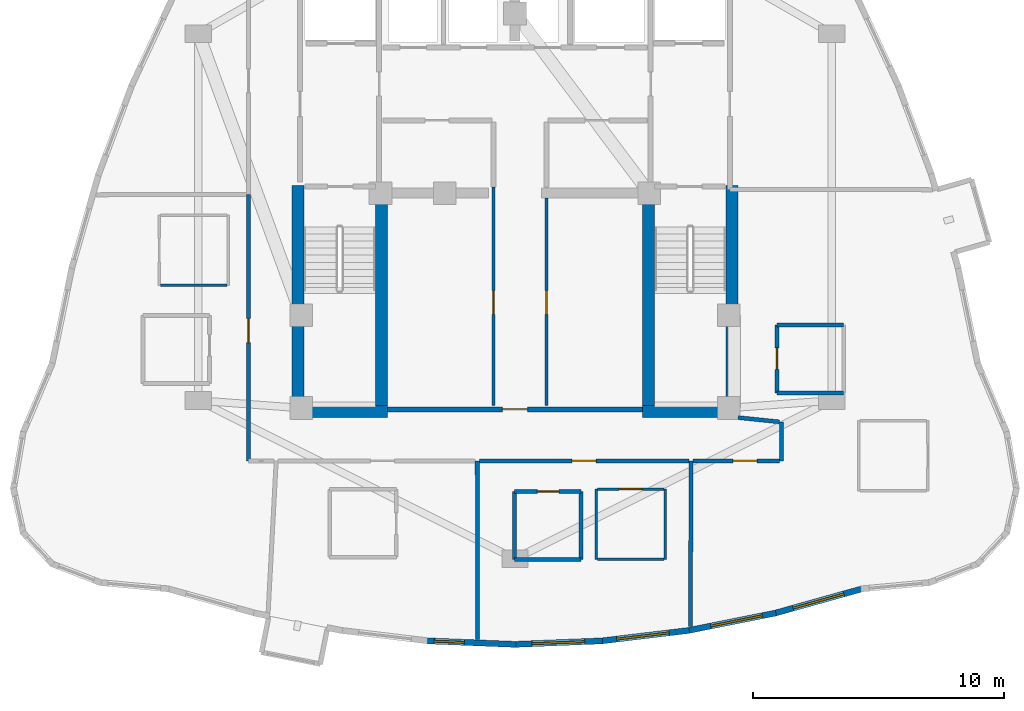
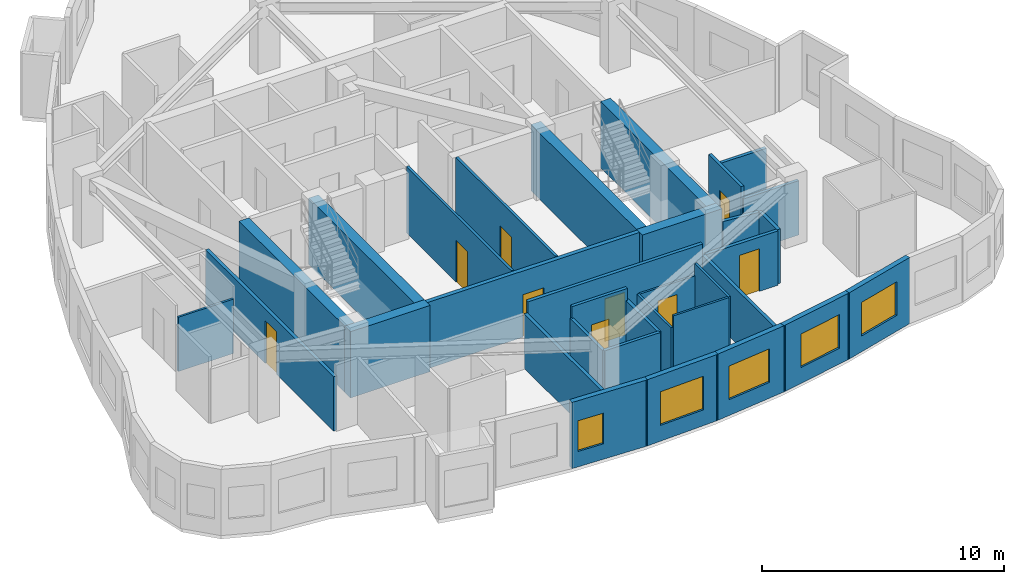
# One storey, part 5 of 10: 33 walls, 9 doors, 5 windows, 14 openings.
"""IFC4 building model written with IfcOpenShell, lengths in metres."""

from ifc_helpers import new_model, si_unit, direction, frame, frame_2d, origin, place, context, subcontext, project, spatial, rectangle, extrude, material, layer, layer_set, type_object, element, fill, save


model = new_model("IFC4")

# Units and contexts
model_context = context("Model", 3, precision=1e-05, world=origin(), true_north=direction((0.0, 1.0)))
body_context = subcontext(model_context, "Body", "Model", "MODEL_VIEW")
ifc_project = project(units=[si_unit("LENGTHUNIT", "METRE"), si_unit("AREAUNIT", "SQUARE_METRE"), si_unit("VOLUMEUNIT", "CUBIC_METRE"), si_unit("PLANEANGLEUNIT", "RADIAN"), si_unit("MASSUNIT", "GRAM", prefix="KILO")], contexts=[model_context])

# Site, building, storey
site_placement = place(None, origin())
site = spatial("IfcSite", under=ifc_project, at=site_placement, CompositionType="ELEMENT")
building_placement = place(site_placement, origin())
building = spatial("IfcBuilding", under=site, at=building_placement, Name="Miruveldt Soraemaru", CompositionType="ELEMENT")
storey_placement = place(building_placement, frame((0.0, 0.0, 230.39990234375)))
storey = spatial("IfcBuildingStorey", under=building, at=storey_placement, Name="L63", CompositionType="ELEMENT", Elevation=230.39990234375)

# Walls
ifc_material_1 = material(Name="Concrete C60/75 (60 MPa)", Category="concrete")
ifc_layer_1 = layer(ifc_material_1, 0.47998046875, Name="Concrete C60/75 (60 MPa)", Category="concrete")
ifc_layer_set_1 = layer_set([ifc_layer_1], Name="Concrete C60/75 (60 MPa)")
wall_type_1 = type_object("IfcWallType", Name="WALL-CW-480", PredefinedType="SHEAR", material=ifc_layer_set_1)
for number, where, z_axis, x_axis, name in (
    (1, (35.1201171875, 35.360107421875, 0.0), (0.0, 0.0, 1.0), (1.0, 0.0, 0.0), "L63 Central Core Shear Wall S1"),
    (2, (49.070068359375, 35.360107421875, 0.0), (0.0, 0.0, 1.0), (1.0, 0.0, 0.0), "L63 Central Core Shear Wall S2"),
):
    element("IfcWall", number, at=place(storey_placement, frame(where, z_axis=z_axis, x_axis=x_axis)), inside=storey, type_object=wall_type_1, Name=name, PredefinedType="SHEAR", context=body_context, shape_type="SweptSolid", body=[
        extrude(rectangle(XDim=3.809814453125, YDim=0.47998046875, at=frame_2d((1.90478515625, 0.0))), origin(), (0.0, 0.0, 1.0), 3.34521484375),
    ])
for number, where, z_axis, x_axis, name in (
    (3, (35.360107421875, 35.1201171875, 0.0), (0.0, 0.0, 1.0), (0.0, 1.0, 0.0), "L63 Central Core Shear Wall W1"),
    (4, (52.639892578125, 35.1201171875, 0.0), (0.0, 0.0, 1.0), (0.0, 1.0, 0.0), "L63 Central Core Shear Wall E1"),
):
    element("IfcWall", number, at=place(storey_placement, frame(where, z_axis=z_axis, x_axis=x_axis)), inside=storey, type_object=wall_type_1, Name=name, PredefinedType="SHEAR", context=body_context, shape_type="SweptSolid", body=[
        extrude(rectangle(XDim=9.22998046875, YDim=0.47998046875, at=frame_2d((4.614990234375, 0.0))), origin(), (0.0, 0.0, 1.0), 3.34521484375),
    ])
for number, where, z_axis, x_axis, name in (
    (5, (38.68994140625, 35.39990234375, 0.0), (0.0, 0.0, 1.0), (0.0, 1.0, 0.0), "L63 Central Core Shear Wall SW-INT"),
    (6, (49.31005859375, 35.39990234375, 0.0), (0.0, 0.0, 1.0), (0.0, 1.0, 0.0), "L63 Central Core Shear Wall SE-INT"),
):
    element("IfcWall", number, at=place(storey_placement, frame(where, z_axis=z_axis, x_axis=x_axis)), inside=storey, type_object=wall_type_1, Name=name, PredefinedType="SHEAR", context=body_context, shape_type="SweptSolid", body=[
        extrude(rectangle(XDim=8.9501953125, YDim=0.47998046875, at=frame_2d((4.47509765625, 0.0))), origin(), (0.0, 0.0, 1.0), 3.34521484375),
    ])

# Wall, opening, window
ifc_material_2 = material(Name="Precast concrete C45/55 (45 MPa)", Category="concrete")
ifc_layer_2 = layer(ifc_material_2, 0.239990234375, Name="Precast concrete C45/55 (45 MPa)", Category="concrete")
ifc_layer_set_2 = layer_set([ifc_layer_2], Name="Precast concrete C45/55 (45 MPa)")
wall_type_2 = type_object("IfcWallType", Name="WALL-EXT-PC240", PredefinedType="SOLIDWALL", material=ifc_layer_set_2)
wall_1_placement = place(storey_placement, frame((40.515380859375, 26.235595703125, 0.0), z_axis=(0.0, 0.0, 1.0), x_axis=(0.999199961915, -0.039992950751, 0.0)))
wall_1 = element("IfcWall", 7, at=wall_1_placement, inside=storey, type_object=wall_type_2, Name="L63 Precast Concrete Facade Wall 24", PredefinedType="SOLIDWALL", context=body_context, shape_type="SweptSolid", body=[
    extrude(rectangle(XDim=3.5224609375, YDim=0.239990234375, at=frame_2d((1.76123046875, 0.0))), origin(), (0.0, 0.0, 1.0), 3.34521484375),
])
opening_1_placement = place(wall_1_placement, frame((0.27099609375, 0.0, 0.780029296875)))
opening_1 = element("IfcOpeningElement", 8, at=opening_1_placement, cuts=wall_1, Name="Opening WN-4", PredefinedType="OPENING", context=body_context, shape_type="SweptSolid", body=[
    extrude(rectangle(XDim=1.199951171875, YDim=1.550048828125, at=frame_2d((0.60009765625, 0.77490234375))), frame((0.0, 0.1298828125, 0.0), z_axis=(0.0, -1.0, 0.0), x_axis=(1.0, 0.0, 0.0)), (0.0, 0.0, 1.0), 0.260009765625),
])
ifc_material_3 = material(Name="Triple low-e insulated glazing", Category="glass")
window_type_1 = type_object("IfcWindowType", Name="WIN-PUNCH-1200x1550", PartitioningType="SINGLE_PANEL", PredefinedType="WINDOW", material=ifc_material_3)
window_1_placement = place(opening_1_placement, origin())
window_1 = element("IfcWindow", 9, at=window_1_placement, inside=storey, type_object=window_type_1, Name="L63 Punched Triple-Glazed Window 24.1", OverallHeight=1.550048828125, OverallWidth=1.199951171875, PartitioningType="SINGLE_PANEL", PredefinedType="WINDOW", context=body_context, shape_type="SweptSolid", body=[
    extrude(rectangle(XDim=1.199951171875, YDim=1.550048828125, at=frame_2d((0.60009765625, 0.77490234375))), frame((0.0, 0.030029296875, 0.0), z_axis=(0.0, -1.0, 0.0), x_axis=(1.0, 0.0, 0.0)), (0.0, 0.0, 1.0), 0.06005859375),
])
fill(opening_1, window_1)

wall_2_placement = place(storey_placement, frame((43.965087890625, 26.0947265625, 0.0), z_axis=(0.0, 0.0, 1.0), x_axis=(0.999199961915, 0.039992950751, 0.0)))
wall_2 = element("IfcWall", 10, at=wall_2_placement, inside=storey, type_object=wall_type_2, Name="L63 Precast Concrete Facade Wall 25", PredefinedType="SOLIDWALL", context=body_context, shape_type="SweptSolid", body=[
    extrude(rectangle(XDim=3.5224609375, YDim=0.239990234375, at=frame_2d((1.76123046875, 0.0))), origin(), (0.0, 0.0, 1.0), 3.34521484375),
])
opening_2_placement = place(wall_2_placement, frame((0.7119140625, 0.0, 0.800048828125)))
opening_2 = element("IfcOpeningElement", 11, at=opening_2_placement, cuts=wall_2, Name="Opening WN-1", PredefinedType="OPENING", context=body_context, shape_type="SweptSolid", body=[
    extrude(rectangle(XDim=2.10009765625, YDim=1.699951171875, at=frame_2d((1.050048828125, 0.85009765625))), frame((0.0, 0.1298828125, 0.0), z_axis=(0.0, -1.0, 0.0), x_axis=(1.0, 0.0, 0.0)), (0.0, 0.0, 1.0), 0.260009765625),
])
window_type_2 = type_object("IfcWindowType", Name="WIN-PUNCH-2100x1700", PartitioningType="SINGLE_PANEL", PredefinedType="WINDOW", material=ifc_material_3)
window_2_placement = place(opening_2_placement, origin())
window_2 = element("IfcWindow", 12, at=window_2_placement, inside=storey, type_object=window_type_2, Name="L63 Punched Triple-Glazed Window 25.1", OverallHeight=1.699951171875, OverallWidth=2.10009765625, PartitioningType="SINGLE_PANEL", PredefinedType="WINDOW", context=body_context, shape_type="SweptSolid", body=[
    extrude(rectangle(XDim=2.10009765625, YDim=1.699951171875, at=frame_2d((1.050048828125, 0.85009765625))), frame((0.0, 0.030029296875, 0.0), z_axis=(0.0, -1.0, 0.0), x_axis=(1.0, 0.0, 0.0)), (0.0, 0.0, 1.0), 0.06005859375),
])
fill(opening_2, window_2)

wall_3_placement = place(storey_placement, frame((47.414794921875, 26.22998046875, 0.0), z_axis=(0.0, 0.0, 1.0), x_axis=(0.99287520879, 0.119158800639, 0.0)))
wall_3 = element("IfcWall", 13, at=wall_3_placement, inside=storey, type_object=wall_type_2, Name="L63 Precast Concrete Facade Wall 26", PredefinedType="SOLIDWALL", context=body_context, shape_type="SweptSolid", body=[
    extrude(rectangle(XDim=3.54443359375, YDim=0.239990234375, at=frame_2d((1.772216796875, 0.0))), origin(), (0.0, 0.0, 1.0), 3.34521484375),
])
opening_3_placement = place(wall_3_placement, frame((0.638916015625, 0.0, 0.800048828125)))
opening_3 = element("IfcOpeningElement", 14, at=opening_3_placement, cuts=wall_3, Name="Opening WN-1", PredefinedType="OPENING", context=body_context, shape_type="SweptSolid", body=[
    extrude(rectangle(XDim=2.10009765625, YDim=1.699951171875, at=frame_2d((1.050048828125, 0.85009765625))), frame((0.0, 0.1298828125, 0.0), z_axis=(0.0, -1.0, 0.0), x_axis=(1.0, 0.0, 0.0)), (0.0, 0.0, 1.0), 0.260009765625),
])
window_3_placement = place(opening_3_placement, origin())
window_3 = element("IfcWindow", 15, at=window_3_placement, inside=storey, type_object=window_type_2, Name="L63 Punched Triple-Glazed Window 26.1", OverallHeight=1.699951171875, OverallWidth=2.10009765625, PartitioningType="SINGLE_PANEL", PredefinedType="WINDOW", context=body_context, shape_type="SweptSolid", body=[
    extrude(rectangle(XDim=2.10009765625, YDim=1.699951171875, at=frame_2d((1.050048828125, 0.85009765625))), frame((0.0, 0.030029296875, 0.0), z_axis=(0.0, -1.0, 0.0), x_axis=(1.0, 0.0, 0.0)), (0.0, 0.0, 1.0), 0.06005859375),
])
fill(opening_3, window_3)

wall_4_placement = place(storey_placement, frame((50.864990234375, 26.641357421875, 0.0), z_axis=(0.0, 0.0, 1.0), x_axis=(0.980583292684, 0.19610304972, 0.0)))
wall_4 = element("IfcWall", 16, at=wall_4_placement, inside=storey, type_object=wall_type_2, Name="L63 Precast Concrete Facade Wall 27", PredefinedType="SOLIDWALL", context=body_context, shape_type="SweptSolid", body=[
    extrude(rectangle(XDim=3.587890625, YDim=0.239990234375, at=frame_2d((1.7939453125, 0.0))), origin(), (0.0, 0.0, 1.0), 3.34521484375),
])
opening_4_placement = place(wall_4_placement, frame((0.93994140625, 0.0, 0.800048828125)))
opening_4 = element("IfcOpeningElement", 17, at=opening_4_placement, cuts=wall_4, Name="Opening WN-1", PredefinedType="OPENING", context=body_context, shape_type="SweptSolid", body=[
    extrude(rectangle(XDim=2.10009765625, YDim=1.699951171875, at=frame_2d((1.050048828125, 0.85009765625))), frame((0.0, 0.1298828125, 0.0), z_axis=(0.0, -1.0, 0.0), x_axis=(1.0, 0.0, 0.0)), (0.0, 0.0, 1.0), 0.260009765625),
])
window_4_placement = place(opening_4_placement, origin())
window_4 = element("IfcWindow", 18, at=window_4_placement, inside=storey, type_object=window_type_2, Name="L63 Punched Triple-Glazed Window 27.1", OverallHeight=1.699951171875, OverallWidth=2.10009765625, PartitioningType="SINGLE_PANEL", PredefinedType="WINDOW", context=body_context, shape_type="SweptSolid", body=[
    extrude(rectangle(XDim=2.10009765625, YDim=1.699951171875, at=frame_2d((1.050048828125, 0.85009765625))), frame((0.0, 0.030029296875, 0.0), z_axis=(0.0, -1.0, 0.0), x_axis=(1.0, 0.0, 0.0)), (0.0, 0.0, 1.0), 0.06005859375),
])
fill(opening_4, window_4)

wall_5_placement = place(storey_placement, frame((54.315185546875, 27.32861328125, 0.0), z_axis=(0.0, 0.0, 1.0), x_axis=(0.962963325527, 0.269632404746, 0.0)))
wall_5 = element("IfcWall", 19, at=wall_5_placement, inside=storey, type_object=wall_type_2, Name="L63 Precast Concrete Facade Wall 28", PredefinedType="SOLIDWALL", context=body_context, shape_type="SweptSolid", body=[
    extrude(rectangle(XDim=3.652587890625, YDim=0.239990234375, at=frame_2d((1.826171875, 0.0))), origin(), (0.0, 0.0, 1.0), 3.34521484375),
])
opening_5_placement = place(wall_5_placement, frame((0.77587890625, 0.0, 0.800048828125)))
opening_5 = element("IfcOpeningElement", 20, at=opening_5_placement, cuts=wall_5, Name="Opening WN-1", PredefinedType="OPENING", context=body_context, shape_type="SweptSolid", body=[
    extrude(rectangle(XDim=2.10009765625, YDim=1.699951171875, at=frame_2d((1.050048828125, 0.85009765625))), frame((0.0, 0.1298828125, 0.0), z_axis=(0.0, -1.0, 0.0), x_axis=(1.0, 0.0, 0.0)), (0.0, 0.0, 1.0), 0.260009765625),
])
window_5_placement = place(opening_5_placement, origin())
window_5 = element("IfcWindow", 21, at=window_5_placement, inside=storey, type_object=window_type_2, Name="L63 Punched Triple-Glazed Window 28.1", OverallHeight=1.699951171875, OverallWidth=2.10009765625, PartitioningType="SINGLE_PANEL", PredefinedType="WINDOW", context=body_context, shape_type="SweptSolid", body=[
    extrude(rectangle(XDim=2.10009765625, YDim=1.699951171875, at=frame_2d((1.050048828125, 0.85009765625))), frame((0.0, 0.030029296875, 0.0), z_axis=(0.0, -1.0, 0.0), x_axis=(1.0, 0.0, 0.0)), (0.0, 0.0, 1.0), 0.06005859375),
])
fill(opening_5, window_5)

# Wall, opening, door
ifc_material_4 = material(Name="Gypsum plasterboard lining", Category="gypsum")
ifc_layer_3 = layer(ifc_material_4, 0.10009765625, Name="Gypsum plasterboard lining", Category="gypsum")
ifc_layer_set_3 = layer_set([ifc_layer_3], Name="Gypsum plasterboard lining")
wall_type_3 = type_object("IfcWallType", Name="WALL-INT-P100", PredefinedType="PARTITIONING", material=ifc_layer_set_3)
wall_6_placement = place(storey_placement, frame((49.929931640625, 32.278076171875, 0.0), z_axis=(0.0, 0.0, 1.0), x_axis=(-1.0, 0.0, 0.0)))
wall_6 = element("IfcWall", 22, at=wall_6_placement, inside=storey, type_object=wall_type_3, Name="L63 Partition Wall 43", PredefinedType="PARTITIONING", context=body_context, shape_type="SweptSolid", body=[
    extrude(rectangle(XDim=2.64990234375, YDim=0.10009765625, at=frame_2d((1.324951171875, 0.0))), origin(), (0.0, 0.0, 1.0), 2.7451171875),
])
opening_6_placement = place(wall_6_placement, frame((0.864990234375, 0.0, 0.0)))
opening_6 = element("IfcOpeningElement", 23, at=opening_6_placement, cuts=wall_6, Name="Opening D3A", PredefinedType="OPENING", context=body_context, shape_type="SweptSolid", body=[
    extrude(rectangle(XDim=0.919921875, YDim=2.10009765625, at=frame_2d((0.4599609375, 1.050048828125))), frame((0.0, 0.06005859375, 0.0), z_axis=(0.0, -1.0, 0.0), x_axis=(1.0, 0.0, 0.0)), (0.0, 0.0, 1.0), 0.1201171875),
])
ifc_material_5 = material(Name="Anodised aluminium EN AW-6063 T6", Category="aluminium")
door_type_1 = type_object("IfcDoorType", Name="DOOR-INT-920", OperationType="NOTDEFINED", PredefinedType="DOOR", material=ifc_material_5)
door_1_placement = place(opening_6_placement, origin())
door_1 = element("IfcDoor", 24, at=door_1_placement, inside=storey, type_object=door_type_1, Name="L63 Unit 6306 KIT Door", OperationType="SINGLE_SWING_RIGHT", OverallHeight=2.10009765625, OverallWidth=0.919921875, PredefinedType="DOOR", context=body_context, shape_type="SweptSolid", body=[
    extrude(rectangle(XDim=0.919921875, YDim=2.10009765625, at=frame_2d((0.4599609375, 1.050048828125))), frame((0.0, 0.02490234375, 0.0), z_axis=(0.0, -1.0, 0.0), x_axis=(1.0, 0.0, 0.0)), (0.0, 0.0, 1.0), 0.050048828125),
])
fill(opening_6, door_1)

# Walls
wall_7_placement = place(storey_placement, frame((49.97998046875, 29.47802734375, 0.0), z_axis=(0.0, 0.0, 1.0), x_axis=(0.0, 1.0, 0.0)))
element("IfcWall", 25, at=wall_7_placement, inside=storey, type_object=wall_type_3, Name="L63 Partition Wall 42", PredefinedType="PARTITIONING", context=body_context, shape_type="SweptSolid", body=[
    extrude(rectangle(XDim=2.800048828125, YDim=0.10009765625, at=frame_2d((1.39990234375, 0.0))), origin(), (0.0, 0.0, 1.0), 3.34521484375),
])
wall_8_placement = place(storey_placement, frame((47.22998046875, 32.278076171875, 0.0), z_axis=(0.0, 0.0, 1.0), x_axis=(0.0, -1.0, 0.0)))
element("IfcWall", 26, at=wall_8_placement, inside=storey, type_object=wall_type_3, Name="L63 Partition Wall 44", PredefinedType="PARTITIONING", context=body_context, shape_type="SweptSolid", body=[
    extrude(rectangle(XDim=2.800048828125, YDim=0.10009765625, at=frame_2d((1.39990234375, 0.0))), origin(), (0.0, 0.0, 1.0), 2.7451171875),
])
wall_9_placement = place(storey_placement, frame((29.89990234375, 40.3798828125, 0.0), z_axis=(0.0, 0.0, 1.0), x_axis=(1.0, 0.0, 0.0)))
element("IfcWall", 27, at=wall_9_placement, inside=storey, type_object=wall_type_3, Name="L63 Partition Wall 31", PredefinedType="PARTITIONING", context=body_context, shape_type="SweptSolid", body=[
    extrude(rectangle(XDim=2.650146484375, YDim=0.10009765625, at=frame_2d((1.3251953125, 0.0))), origin(), (0.0, 0.0, 1.0), 2.7451171875),
])
wall_10_placement = place(storey_placement, frame((47.280029296875, 29.47802734375, 0.0), z_axis=(0.0, 0.0, 1.0), x_axis=(1.0, 0.0, 0.0)))
element("IfcWall", 28, at=wall_10_placement, inside=storey, type_object=wall_type_3, Name="L63 Partition Wall 45", PredefinedType="PARTITIONING", context=body_context, shape_type="SweptSolid", body=[
    extrude(rectangle(XDim=2.64990234375, YDim=0.10009765625, at=frame_2d((1.324951171875, 0.0))), origin(), (0.0, 0.0, 1.0), 3.34521484375),
])

# Wall, opening, door
ifc_layer_4 = layer(ifc_material_4, 0.1201171875, Name="Gypsum plasterboard lining", Category="gypsum")
ifc_layer_set_4 = layer_set([ifc_layer_4], Name="Gypsum plasterboard lining")
wall_type_4 = type_object("IfcWallType", Name="WALL-INT-P120", PredefinedType="PARTITIONING", material=ifc_layer_set_4)
wall_11_placement = place(storey_placement, frame((43.14990234375, 35.60009765625, 0.0), z_axis=(0.0, 0.0, 1.0), x_axis=(0.0, 1.0, 0.0)))
wall_11 = element("IfcWall", 29, at=wall_11_placement, inside=storey, type_object=wall_type_4, Name="L63 Core Compartment Wall SP-WL", PredefinedType="PARTITIONING", context=body_context, shape_type="SweptSolid", body=[
    extrude(rectangle(XDim=8.699951171875, YDim=0.1201171875, at=frame_2d((4.35009765625, 0.0))), origin(), (0.0, 0.0, 1.0), 3.34521484375),
])
opening_7_placement = place(wall_11_placement, frame((3.625, 0.0, 0.0)))
opening_7 = element("IfcOpeningElement", 30, at=opening_7_placement, cuts=wall_11, Name="Opening D2", PredefinedType="OPENING", context=body_context, shape_type="SweptSolid", body=[
    extrude(rectangle(XDim=0.949951171875, YDim=2.10009765625, at=frame_2d((0.47509765625, 1.050048828125))), frame((0.0, 0.070068359375, 0.0), z_axis=(0.0, -1.0, 0.0), x_axis=(1.0, 0.0, 0.0)), (0.0, 0.0, 1.0), 0.14013671875),
])
door_type_2 = type_object("IfcDoorType", Name="DOOR-INT-950", OperationType="NOTDEFINED", PredefinedType="DOOR", material=ifc_material_5)
door_2_placement = place(opening_7_placement, origin())
door_2 = element("IfcDoor", 31, at=door_2_placement, inside=storey, type_object=door_type_2, Name="L63 Fire Door", OperationType="SINGLE_SWING_LEFT", OverallHeight=2.10009765625, OverallWidth=0.949951171875, PredefinedType="DOOR", context=body_context, shape_type="SweptSolid", body=[
    extrude(rectangle(XDim=0.949951171875, YDim=2.10009765625, at=frame_2d((0.47509765625, 1.050048828125))), frame((0.0, 0.02490234375, 0.0), z_axis=(0.0, -1.0, 0.0), x_axis=(1.0, 0.0, 0.0)), (0.0, 0.0, 1.0), 0.050048828125),
])
fill(opening_7, door_2)

wall_12_placement = place(storey_placement, frame((45.25, 35.60009765625, 0.0), z_axis=(0.0, 0.0, 1.0), x_axis=(0.0, 1.0, 0.0)))
wall_12 = element("IfcWall", 32, at=wall_12_placement, inside=storey, type_object=wall_type_4, Name="L63 Core Compartment Wall SP-EL", PredefinedType="PARTITIONING", context=body_context, shape_type="SweptSolid", body=[
    extrude(rectangle(XDim=8.25, YDim=0.1201171875, at=frame_2d((4.125, 0.0))), origin(), (0.0, 0.0, 1.0), 3.34521484375),
])
opening_8_placement = place(wall_12_placement, frame((3.625, 0.0, 0.0)))
opening_8 = element("IfcOpeningElement", 33, at=opening_8_placement, cuts=wall_12, Name="Opening D2", PredefinedType="OPENING", context=body_context, shape_type="SweptSolid", body=[
    extrude(rectangle(XDim=0.949951171875, YDim=2.10009765625, at=frame_2d((0.47509765625, 1.050048828125))), frame((0.0, 0.070068359375, 0.0), z_axis=(0.0, -1.0, 0.0), x_axis=(1.0, 0.0, 0.0)), (0.0, 0.0, 1.0), 0.14013671875),
])
door_3_placement = place(opening_8_placement, origin())
door_3 = element("IfcDoor", 34, at=door_3_placement, inside=storey, type_object=door_type_2, Name="L63 Fire Door", OperationType="SINGLE_SWING_LEFT", OverallHeight=2.10009765625, OverallWidth=0.949951171875, PredefinedType="DOOR", context=body_context, shape_type="SweptSolid", body=[
    extrude(rectangle(XDim=0.949951171875, YDim=2.10009765625, at=frame_2d((0.47509765625, 1.050048828125))), frame((0.0, 0.02490234375, 0.0), z_axis=(0.0, -1.0, 0.0), x_axis=(1.0, 0.0, 0.0)), (0.0, 0.0, 1.0), 0.050048828125),
])
fill(opening_8, door_3)

ifc_layer_5 = layer(ifc_material_4, 0.14990234375, Name="Gypsum plasterboard lining", Category="gypsum")
ifc_layer_set_5 = layer_set([ifc_layer_5], Name="Gypsum plasterboard lining")
wall_type_5 = type_object("IfcWallType", Name="WALL-INT-PLUMB", PredefinedType="PLUMBINGWALL", material=ifc_layer_set_5)
wall_13_placement = place(storey_placement, frame((54.429931640625, 38.801025390625, 0.0), z_axis=(0.0, 0.0, 1.0), x_axis=(0.0, -1.0, 0.0)))
wall_13 = element("IfcWall", 35, at=wall_13_placement, inside=storey, type_object=wall_type_5, Name="L63 Partition Wall 49", PredefinedType="PLUMBINGWALL", context=body_context, shape_type="SweptSolid", body=[
    extrude(rectangle(XDim=2.699951171875, YDim=0.14990234375, at=frame_2d((1.35009765625, 0.0))), origin(), (0.0, 0.0, 1.0), 3.34521484375),
])
opening_9_placement = place(wall_13_placement, frame((0.909912109375, 0.0, 0.0)))
opening_9 = element("IfcOpeningElement", 36, at=opening_9_placement, cuts=wall_13, Name="Opening FD3", PredefinedType="OPENING", context=body_context, shape_type="SweptSolid", body=[
    extrude(rectangle(XDim=0.85009765625, YDim=2.10009765625, at=frame_2d((0.425048828125, 1.050048828125))), frame((0.0, 0.0849609375, 0.0), z_axis=(0.0, -1.0, 0.0), x_axis=(1.0, 0.0, 0.0)), (0.0, 0.0, 1.0), 0.169921875),
])
door_type_3 = type_object("IfcDoorType", Name="DOOR-FD3-850", OperationType="NOTDEFINED", PredefinedType="DOOR", material=ifc_material_5)
door_4_placement = place(opening_9_placement, origin())
door_4 = element("IfcDoor", 37, at=door_4_placement, inside=storey, type_object=door_type_3, Name="L63 Unit CL07 BTH Door", OperationType="SINGLE_SWING_RIGHT", OverallHeight=2.10009765625, OverallWidth=0.85009765625, PredefinedType="DOOR", context=body_context, shape_type="SweptSolid", body=[
    extrude(rectangle(XDim=0.85009765625, YDim=2.10009765625, at=frame_2d((0.425048828125, 1.050048828125))), frame((0.0, 0.02490234375, 0.0), z_axis=(0.0, -1.0, 0.0), x_axis=(1.0, 0.0, 0.0)), (0.0, 0.0, 1.0), 0.050048828125),
])
fill(opening_9, door_4)

wall_14_placement = place(storey_placement, frame((46.6298828125, 32.177978515625, 0.0), z_axis=(0.0, 0.0, 1.0), x_axis=(-1.0, 0.0, 0.0)))
wall_14 = element("IfcWall", 38, at=wall_14_placement, inside=storey, type_object=wall_type_5, Name="L63 Partition Wall 39", PredefinedType="PLUMBINGWALL", context=body_context, shape_type="SweptSolid", body=[
    extrude(rectangle(XDim=2.64990234375, YDim=0.14990234375, at=frame_2d((1.324951171875, 0.0))), origin(), (0.0, 0.0, 1.0), 3.34521484375),
])
opening_10_placement = place(wall_14_placement, frame((0.885009765625, 0.0, 0.0)))
opening_10 = element("IfcOpeningElement", 39, at=opening_10_placement, cuts=wall_14, Name="Opening FD3", PredefinedType="OPENING", context=body_context, shape_type="SweptSolid", body=[
    extrude(rectangle(XDim=0.85009765625, YDim=2.10009765625, at=frame_2d((0.425048828125, 1.050048828125))), frame((0.0, 0.0849609375, 0.0), z_axis=(0.0, -1.0, 0.0), x_axis=(1.0, 0.0, 0.0)), (0.0, 0.0, 1.0), 0.169921875),
])
door_5_placement = place(opening_10_placement, origin())
door_5 = element("IfcDoor", 40, at=door_5_placement, inside=storey, type_object=door_type_3, Name="L63 Unit 6306 BTH Door", OperationType="SINGLE_SWING_LEFT", OverallHeight=2.10009765625, OverallWidth=0.85009765625, PredefinedType="DOOR", context=body_context, shape_type="SweptSolid", body=[
    extrude(rectangle(XDim=0.85009765625, YDim=2.10009765625, at=frame_2d((0.425048828125, 1.050048828125))), frame((0.0, 0.02490234375, 0.0), z_axis=(0.0, -1.0, 0.0), x_axis=(1.0, 0.0, 0.0)), (0.0, 0.0, 1.0), 0.050048828125),
])
fill(opening_10, door_5)

# Walls
for number, where, z_axis, x_axis, name in (
    (41, (46.6298828125, 29.47802734375, 0.0), (0.0, 0.0, 1.0), (0.0, 1.0, 0.0), "L63 Partition Wall 38"),
    (42, (43.97998046875, 32.177978515625, 0.0), (0.0, 0.0, 1.0), (0.0, -1.0, 0.0), "L63 Partition Wall 40"),
):
    element("IfcWall", number, at=place(storey_placement, frame(where, z_axis=z_axis, x_axis=x_axis)), inside=storey, type_object=wall_type_5, Name=name, PredefinedType="PLUMBINGWALL", context=body_context, shape_type="SweptSolid", body=[
        extrude(rectangle(XDim=2.699951171875, YDim=0.14990234375, at=frame_2d((1.35009765625, 0.0))), origin(), (0.0, 0.0, 1.0), 2.7451171875),
    ])
wall_15_placement = place(storey_placement, frame((43.97998046875, 29.47802734375, 0.0), z_axis=(0.0, 0.0, 1.0), x_axis=(1.0, 0.0, 0.0)))
element("IfcWall", 43, at=wall_15_placement, inside=storey, type_object=wall_type_5, Name="L63 Partition Wall 41", PredefinedType="PLUMBINGWALL", context=body_context, shape_type="SweptSolid", body=[
    extrude(rectangle(XDim=2.64990234375, YDim=0.14990234375, at=frame_2d((1.324951171875, 0.0))), origin(), (0.0, 0.0, 1.0), 2.7451171875),
])
for number, where, z_axis, x_axis, name in (
    (44, (57.080078125, 38.801025390625, 0.0), (0.0, 0.0, 1.0), (-1.0, 0.0, 0.0), "L63 Partition Wall 48"),
    (45, (54.429931640625, 36.10107421875, 0.0), (0.0, 0.0, 1.0), (1.0, 0.0, 0.0), "L63 Partition Wall 50"),
):
    element("IfcWall", number, at=place(storey_placement, frame(where, z_axis=z_axis, x_axis=x_axis)), inside=storey, type_object=wall_type_5, Name=name, PredefinedType="PLUMBINGWALL", context=body_context, shape_type="SweptSolid", body=[
        extrude(rectangle(XDim=2.650146484375, YDim=0.14990234375, at=frame_2d((1.3251953125, 0.0))), origin(), (0.0, 0.0, 1.0), 2.7451171875),
    ])

# Wall, opening, door
ifc_material_6 = material(Name="Concrete C40/50 (40 MPa)", Category="concrete")
ifc_layer_6 = layer(ifc_material_6, 0.159912109375, Name="Concrete C40/50 (40 MPa)", Category="concrete")
ifc_layer_set_6 = layer_set([ifc_layer_6], Name="Concrete C40/50 (40 MPa)")
wall_type_6 = type_object("IfcWallType", Name="WALL-INT-RC160", PredefinedType="SOLIDWALL", material=ifc_layer_set_6)
wall_16_placement = place(storey_placement, frame((33.39990234375, 43.99609375, 0.0), z_axis=(0.0, 0.0, 1.0), x_axis=(0.0, -1.0, 0.0)))
wall_16 = element("IfcWall", 46, at=wall_16_placement, inside=storey, type_object=wall_type_6, Name="L63 Partition Wall 5", PredefinedType="SOLIDWALL", context=body_context, shape_type="SweptSolid", body=[
    extrude(rectangle(XDim=10.59619140625, YDim=0.159912109375, at=frame_2d((5.298095703125, 0.0))), origin(), (0.0, 0.0, 1.0), 2.7451171875),
])
opening_11_placement = place(wall_16_placement, frame((4.94091796875, 0.0, 0.0)))
opening_11 = element("IfcOpeningElement", 47, at=opening_11_placement, cuts=wall_16, Name="Opening FD2", PredefinedType="OPENING", context=body_context, shape_type="SweptSolid", body=[
    extrude(rectangle(XDim=0.949951171875, YDim=2.14990234375, at=frame_2d((0.47509765625, 1.074951171875))), frame((0.0, 0.08984375, 0.0), z_axis=(0.0, -1.0, 0.0), x_axis=(1.0, 0.0, 0.0)), (0.0, 0.0, 1.0), 0.179931640625),
])
door_type_4 = type_object("IfcDoorType", Name="DOOR-FD2-950", OperationType="NOTDEFINED", PredefinedType="DOOR", material=ifc_material_5)
door_6_placement = place(opening_11_placement, origin())
door_6 = element("IfcDoor", 48, at=door_6_placement, inside=storey, type_object=door_type_4, Name="L63 Unit 6303 Entrance Fire Door", OperationType="SINGLE_SWING_LEFT", OverallHeight=2.14990234375, OverallWidth=0.949951171875, PredefinedType="DOOR", context=body_context, shape_type="SweptSolid", body=[
    extrude(rectangle(XDim=0.949951171875, YDim=2.14990234375, at=frame_2d((0.47509765625, 1.074951171875))), frame((0.0, 0.02490234375, 0.0), z_axis=(0.0, -1.0, 0.0), x_axis=(1.0, 0.0, 0.0)), (0.0, 0.0, 1.0), 0.050048828125),
])
fill(opening_11, door_6)

wall_17_placement = place(storey_placement, frame((42.580078125, 33.39990234375, 0.0), z_axis=(0.0, 0.0, 1.0), x_axis=(1.0, 0.0, 0.0)))
wall_17 = element("IfcWall", 49, at=wall_17_placement, inside=storey, type_object=wall_type_6, Name="L63 Partition Wall 9", PredefinedType="SOLIDWALL", context=body_context, shape_type="SweptSolid", body=[
    extrude(rectangle(XDim=8.33984375, YDim=0.159912109375, at=frame_2d((4.169921875, 0.0))), origin(), (0.0, 0.0, 1.0), 3.34521484375),
])
opening_12_placement = place(wall_17_placement, frame((3.695068359375, 0.0, 0.0)))
opening_12 = element("IfcOpeningElement", 50, at=opening_12_placement, cuts=wall_17, Name="Opening FD2", PredefinedType="OPENING", context=body_context, shape_type="SweptSolid", body=[
    extrude(rectangle(XDim=0.949951171875, YDim=2.14990234375, at=frame_2d((0.47509765625, 1.074951171875))), frame((0.0, 0.08984375, 0.0), z_axis=(0.0, -1.0, 0.0), x_axis=(1.0, 0.0, 0.0)), (0.0, 0.0, 1.0), 0.179931640625),
])
door_7_placement = place(opening_12_placement, origin())
door_7 = element("IfcDoor", 51, at=door_7_placement, inside=storey, type_object=door_type_4, Name="L63 Unit 6306 Entrance Fire Door", OperationType="SINGLE_SWING_RIGHT", OverallHeight=2.14990234375, OverallWidth=0.949951171875, PredefinedType="DOOR", context=body_context, shape_type="SweptSolid", body=[
    extrude(rectangle(XDim=0.949951171875, YDim=2.14990234375, at=frame_2d((0.47509765625, 1.074951171875))), frame((0.0, 0.02490234375, 0.0), z_axis=(0.0, -1.0, 0.0), x_axis=(1.0, 0.0, 0.0)), (0.0, 0.0, 1.0), 0.050048828125),
])
fill(opening_12, door_7)

wall_18_placement = place(storey_placement, frame((51.080078125, 33.39990234375, 0.0), z_axis=(0.0, 0.0, 1.0), x_axis=(1.0, 0.0, 0.0)))
wall_18 = element("IfcWall", 52, at=wall_18_placement, inside=storey, type_object=wall_type_6, Name="L63 Partition Wall 10", PredefinedType="SOLIDWALL", context=body_context, shape_type="SweptSolid", body=[
    extrude(rectangle(XDim=3.43994140625, YDim=0.159912109375, at=frame_2d((1.719970703125, 0.0))), origin(), (0.0, 0.0, 1.0), 2.7451171875),
])
opening_13_placement = place(wall_18_placement, frame((1.60498046875, 0.0, 0.0)))
opening_13 = element("IfcOpeningElement", 53, at=opening_13_placement, cuts=wall_18, Name="Opening FD2", PredefinedType="OPENING", context=body_context, shape_type="SweptSolid", body=[
    extrude(rectangle(XDim=0.949951171875, YDim=2.14990234375, at=frame_2d((0.47509765625, 1.074951171875))), frame((0.0, 0.08984375, 0.0), z_axis=(0.0, -1.0, 0.0), x_axis=(1.0, 0.0, 0.0)), (0.0, 0.0, 1.0), 0.179931640625),
])
door_8_placement = place(opening_13_placement, origin())
door_8 = element("IfcDoor", 54, at=door_8_placement, inside=storey, type_object=door_type_4, Name="L63 Unit CL07 Entrance Fire Door", OperationType="SINGLE_SWING_LEFT", OverallHeight=2.14990234375, OverallWidth=0.949951171875, PredefinedType="DOOR", context=body_context, shape_type="SweptSolid", body=[
    extrude(rectangle(XDim=0.949951171875, YDim=2.14990234375, at=frame_2d((0.47509765625, 1.074951171875))), frame((0.0, 0.02490234375, 0.0), z_axis=(0.0, -1.0, 0.0), x_axis=(1.0, 0.0, 0.0)), (0.0, 0.0, 1.0), 0.050048828125),
])
fill(opening_13, door_8)

# Walls
wall_19_placement = place(storey_placement, frame((42.501953125, 26.291015625, 0.0), z_axis=(0.0, 0.0, 1.0), x_axis=(-0.000274744134, 0.999999962258, 0.0)))
element("IfcWall", 55, at=wall_19_placement, inside=storey, type_object=wall_type_6, Name="L63 Partition Wall 37", PredefinedType="SOLIDWALL", context=body_context, shape_type="SweptSolid", body=[
    extrude(rectangle(XDim=7.10888671875, YDim=0.159912109375, at=frame_2d((3.554443359375, 0.0))), origin(), (0.0, 0.0, 1.0), 2.7451171875),
])
wall_20_placement = place(storey_placement, frame((50.989013671875, 26.803955078125, 0.0), z_axis=(0.0, 0.0, 1.0), x_axis=(0.001665615634, 0.999998612861, 0.0)))
element("IfcWall", 56, at=wall_20_placement, inside=storey, type_object=wall_type_6, Name="L63 Partition Wall 46", PredefinedType="SOLIDWALL", context=body_context, shape_type="SweptSolid", body=[
    extrude(rectangle(XDim=6.595947265625, YDim=0.159912109375, at=frame_2d((3.2978515625, 0.0))), origin(), (0.0, 0.0, 1.0), 2.7451171875),
])
wall_21_placement = place(storey_placement, frame((54.52001953125, 34.949951171875, 0.0), z_axis=(0.0, 0.0, 1.0), x_axis=(-0.994660918051, 0.103197180691, 0.0)))
element("IfcWall", 57, at=wall_21_placement, inside=storey, type_object=wall_type_6, Name="L63 Partition Wall 12", PredefinedType="SOLIDWALL", context=body_context, shape_type="SweptSolid", body=[
    extrude(rectangle(XDim=1.64892578125, YDim=0.159912109375, at=frame_2d((0.824462890625, 0.0))), origin(), (0.0, 0.0, 1.0), 2.7451171875),
])
wall_22_placement = place(storey_placement, frame((54.60009765625, 33.39990234375, 0.0), z_axis=(0.0, 0.0, 1.0), x_axis=(0.0, 1.0, 0.0)))
element("IfcWall", 58, at=wall_22_placement, inside=storey, type_object=wall_type_6, Name="L63 Partition Wall 11", PredefinedType="SOLIDWALL", context=body_context, shape_type="SweptSolid", body=[
    extrude(rectangle(XDim=1.550048828125, YDim=0.159912109375, at=frame_2d((0.77490234375, 0.0))), origin(), (0.0, 0.0, 1.0), 2.7451171875),
])

# Wall, opening, door
ifc_layer_7 = layer(ifc_material_6, 0.199951171875, Name="Concrete C40/50 (40 MPa)", Category="concrete")
ifc_layer_set_7 = layer_set([ifc_layer_7], Name="Concrete C40/50 (40 MPa)")
wall_type_7 = type_object("IfcWallType", Name="WALL-INT-RC200", PredefinedType="SOLIDWALL", material=ifc_layer_set_7)
wall_23_placement = place(storey_placement, frame((38.89990234375, 35.449951171875, 0.0), z_axis=(0.0, 0.0, 1.0), x_axis=(1.0, 0.0, 0.0)))
wall_23 = element("IfcWall", 59, at=wall_23_placement, inside=storey, type_object=wall_type_7, Name="L63 Core Compartment Wall CS-S", PredefinedType="SOLIDWALL", context=body_context, shape_type="SweptSolid", body=[
    extrude(rectangle(XDim=10.2001953125, YDim=0.199951171875, at=frame_2d((5.10009765625, 0.0))), origin(), (0.0, 0.0, 1.0), 3.34521484375),
])
opening_14_placement = place(wall_23_placement, frame((4.60009765625, 0.0, 0.0)))
opening_14 = element("IfcOpeningElement", 60, at=opening_14_placement, cuts=wall_23, Name="Opening FD1", PredefinedType="OPENING", context=body_context, shape_type="SweptSolid", body=[
    extrude(rectangle(XDim=1.0, YDim=2.14990234375, at=frame_2d((0.5, 1.074951171875))), frame((0.0, 0.10986328125, 0.0), z_axis=(0.0, -1.0, 0.0), x_axis=(1.0, 0.0, 0.0)), (0.0, 0.0, 1.0), 0.219970703125),
])
door_type_5 = type_object("IfcDoorType", Name="DOOR-FD1-1000", OperationType="NOTDEFINED", PredefinedType="DOOR", material=ifc_material_5)
door_9_placement = place(opening_14_placement, origin())
door_9 = element("IfcDoor", 61, at=door_9_placement, inside=storey, type_object=door_type_5, Name="L63 Core South Lobby Fire Door", OperationType="SINGLE_SWING_LEFT", OverallHeight=2.14990234375, OverallWidth=1.0, PredefinedType="DOOR", context=body_context, shape_type="SweptSolid", body=[
    extrude(rectangle(XDim=1.0, YDim=2.14990234375, at=frame_2d((0.5, 1.074951171875))), frame((0.0, 0.02490234375, 0.0), z_axis=(0.0, -1.0, 0.0), x_axis=(1.0, 0.0, 0.0)), (0.0, 0.0, 1.0), 0.050048828125),
])
fill(opening_14, door_9)

save(model, "model.ifc")
